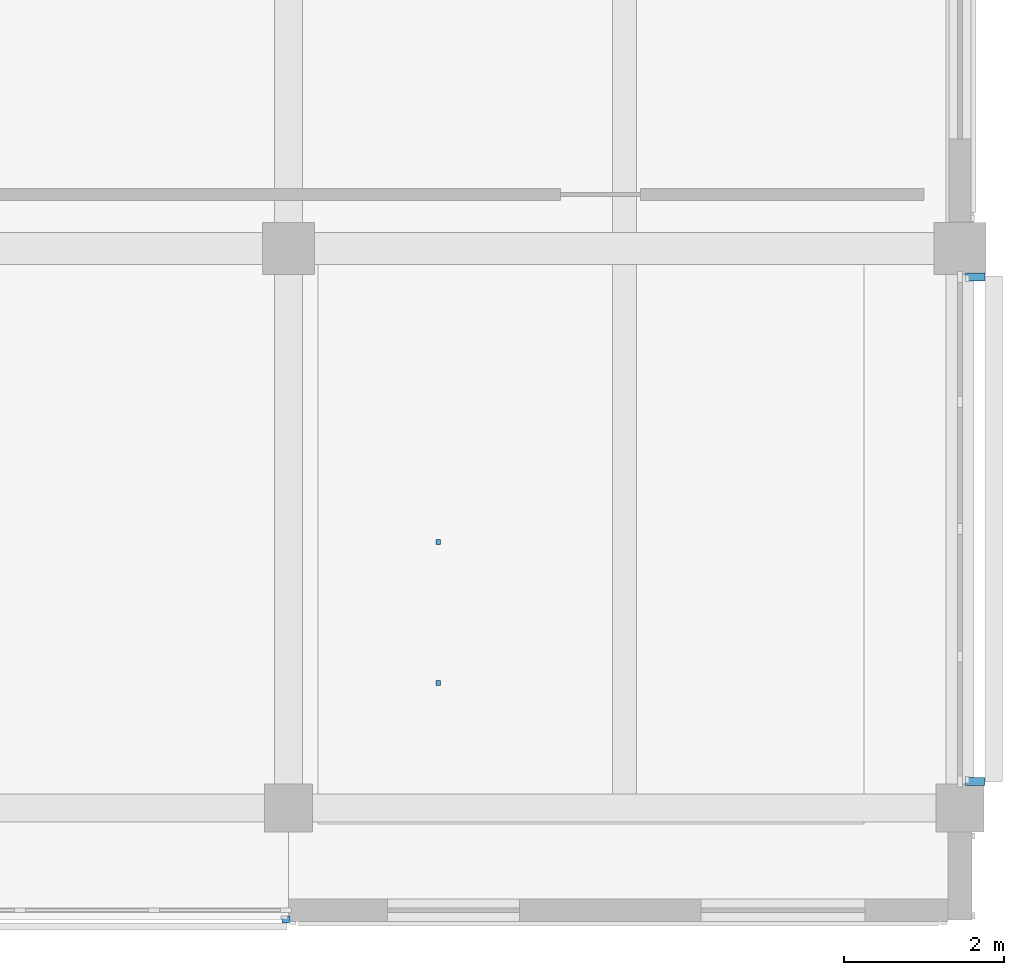
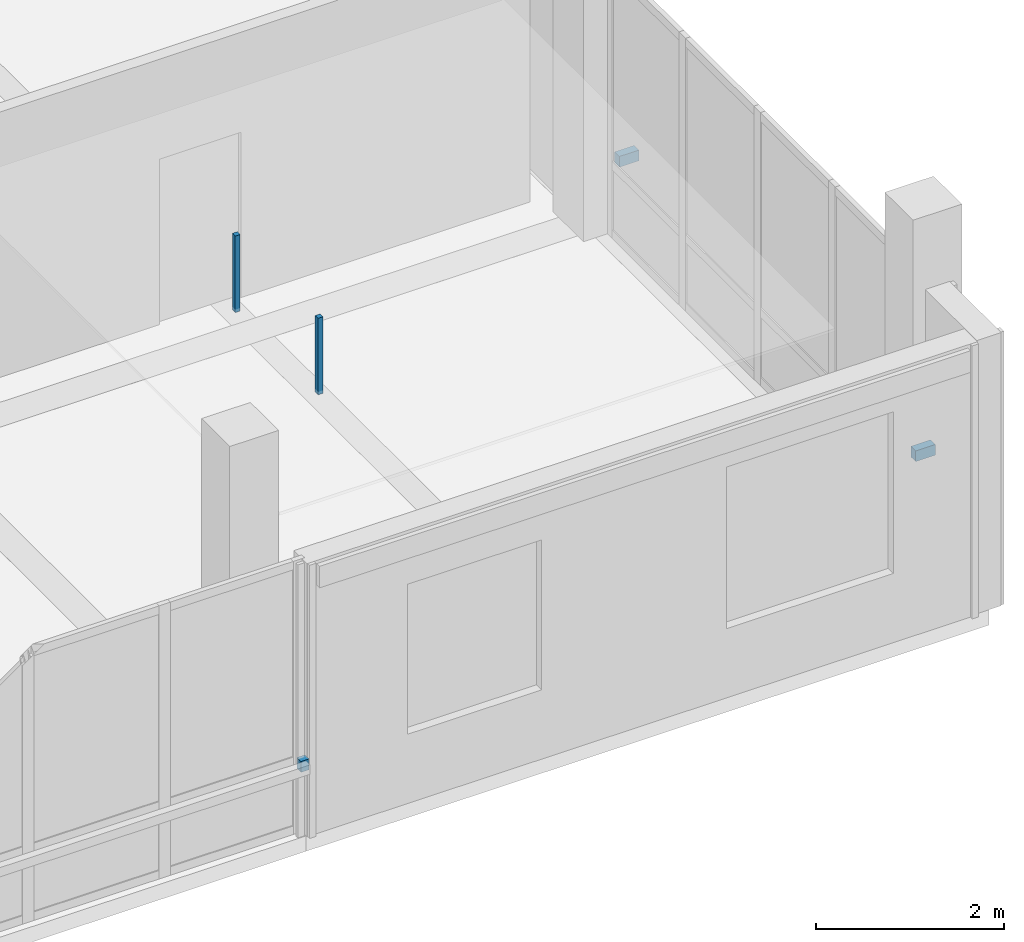
# One storey, part 18 of 29: 5 discrete accessories.
"""IFC4 building model written with IfcOpenShell, lengths in metres."""

from ifc_helpers import new_model, si_unit, direction, frame, origin, origin_2d, place, context, subcontext, project, spatial, rectangle, extrude, material, type_object, element, save


model = new_model("IFC4")

# Units and contexts
model_context = context("Model", 3, precision=1e-05, world=origin(), true_north=direction((0.0, 1.0)))
body_context = subcontext(model_context, "Body", "Model", "MODEL_VIEW")
ifc_project = project(units=[si_unit("LENGTHUNIT", "METRE"), si_unit("AREAUNIT", "SQUARE_METRE"), si_unit("VOLUMEUNIT", "CUBIC_METRE"), si_unit("PLANEANGLEUNIT", "RADIAN"), si_unit("MASSUNIT", "GRAM", prefix="KILO")], contexts=[model_context])

# Site, building, storey
site_placement = place(None, origin())
site = spatial("IfcSite", under=ifc_project, at=site_placement, CompositionType="ELEMENT")
building_placement = place(site_placement, origin())
building = spatial("IfcBuilding", under=site, at=building_placement, Name="Telukmera Botanical Conservatory", CompositionType="ELEMENT")
storey_placement = place(building_placement, frame((0.0, 0.0, 55.5)))
storey = spatial("IfcBuildingStorey", under=building, at=storey_placement, Name="L12", CompositionType="ELEMENT", Elevation=55.5)

# Discrete accessories
ifc_material = material(Name="Steel S355", Category="steel")
discrete_accessory_type_1 = type_object("IfcDiscreteAccessoryType", Name="ACC-CEIL-HGR", PredefinedType="BRACKET", material=ifc_material)
for number, where, z_axis, x_axis, name in (
    (1, (94.272705078125, 12.16259765625, 3.31005859375), (0.0, 0.0, 1.0), (1.0, 0.0, 0.0), "L12 Suspended Ceiling Hanger Rod 028-1"),
    (2, (94.272705078125, 13.925048828125, 3.31005859375), (0.0, 0.0, 1.0), (1.0, 0.0, 0.0), "L12 Suspended Ceiling Hanger Rod 028-2"),
):
    element("IfcDiscreteAccessory", number, at=place(storey_placement, frame(where, z_axis=z_axis, x_axis=x_axis)), inside=storey, type_object=discrete_accessory_type_1, Name=name, PredefinedType="BRACKET", context=body_context, shape_type="SweptSolid", body=[
        extrude(rectangle(XDim=0.06005859375, YDim=0.06005859375, at=origin_2d()), origin(), (0.0, 0.0, 1.0), 0.9951171875),
    ])
discrete_accessory_type_2 = type_object("IfcDiscreteAccessoryType", Name="Structural Steel Facade Outrigger Fin Bracket", PredefinedType="BRACKET", material=ifc_material)
discrete_accessory_placement = place(storey_placement, frame((92.367919921875, 9.205078125, 0.8798828125), z_axis=(0.0, 0.0, 1.0), x_axis=(1.0, 0.0, 0.0)))
element("IfcDiscreteAccessory", 3, at=discrete_accessory_placement, inside=storey, type_object=discrete_accessory_type_2, Name="Facade Outrigger Bracket V4:L12:S4 B", PredefinedType="BRACKET", context=body_context, shape_type="SweptSolid", body=[
    extrude(rectangle(XDim=0.10009765625, YDim=0.090087890625, at=origin_2d()), origin(), (0.0, 0.0, 1.0), 0.139892578125),
])
for number, where, z_axis, x_axis, name in (
    (4, (100.989990234375, 10.931884765625, 0.8798828125), (0.0, 0.0, 1.0), (0.0, 1.0, 0.0), "Facade Outrigger Bracket V4:L12:E1 A"),
    (5, (100.989990234375, 17.242919921875, 0.8798828125), (0.0, 0.0, 1.0), (0.0, 1.0, 0.0), "Facade Outrigger Bracket V4:L12:E1 B"),
):
    element("IfcDiscreteAccessory", number, at=place(storey_placement, frame(where, z_axis=z_axis, x_axis=x_axis)), inside=storey, type_object=discrete_accessory_type_2, Name=name, PredefinedType="BRACKET", context=body_context, shape_type="SweptSolid", body=[
        extrude(rectangle(XDim=0.10009765625, YDim=0.239990234375, at=origin_2d()), origin(), (0.0, 0.0, 1.0), 0.139892578125),
    ])

save(model, "model.ifc")
